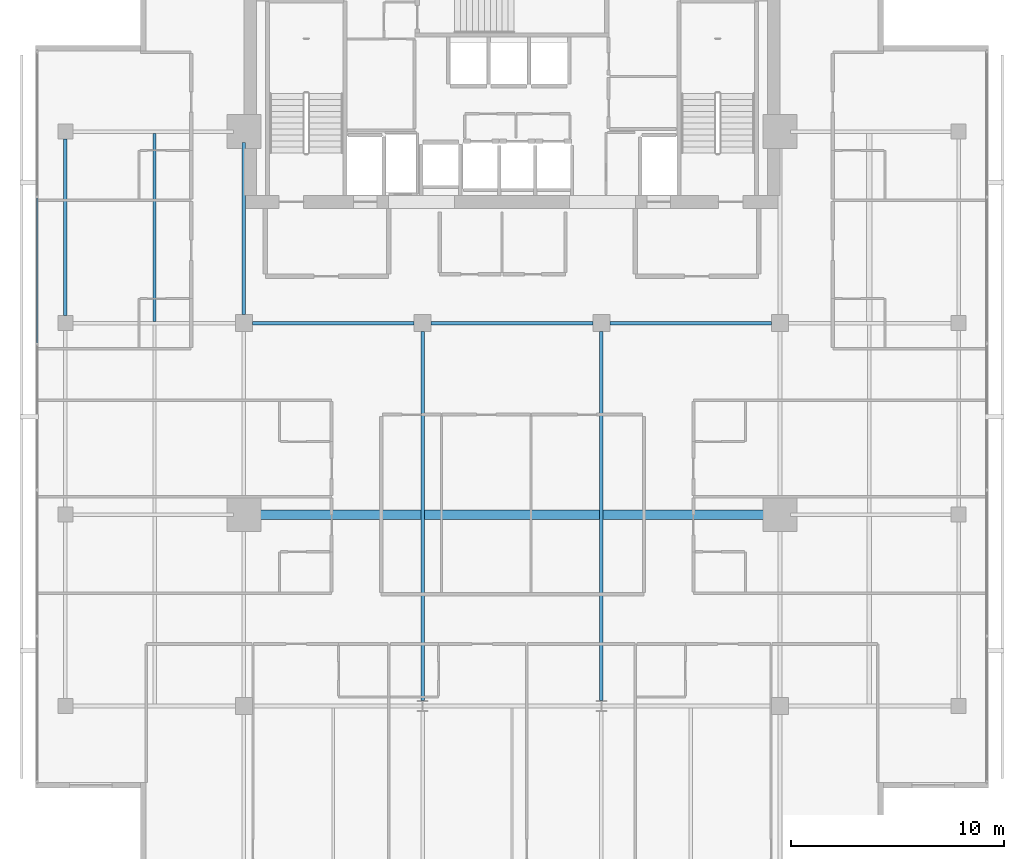
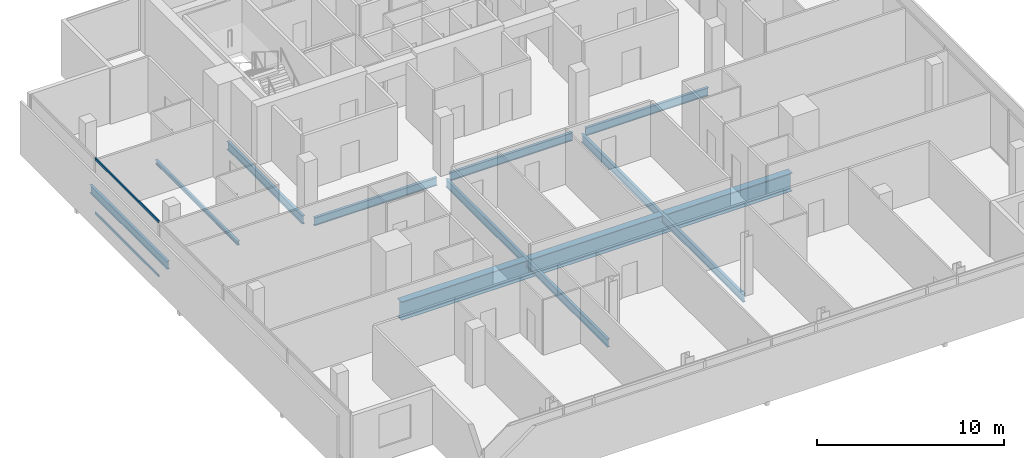
# One storey, part 9 of 26: 9 beams, 2 members, 1 element without a shape of its own.
"""IFC4 building model written with IfcOpenShell, lengths in metres."""

from ifc_helpers import new_model, si_unit, direction, frame, origin, origin_2d, place, context, subcontext, project, spatial, hollow_rectangle, i_section, extrude, material, layer, layer_set, material_profile, profile_set, type_object, element, aggregate, save


model = new_model("IFC4")

# Units and contexts
model_context = context("Model", 3, precision=1e-05, world=origin(), true_north=direction((0.0, 1.0)))
body_context = subcontext(model_context, "Body", "Model", "MODEL_VIEW")
ifc_project = project(units=[si_unit("LENGTHUNIT", "METRE"), si_unit("AREAUNIT", "SQUARE_METRE"), si_unit("VOLUMEUNIT", "CUBIC_METRE"), si_unit("PLANEANGLEUNIT", "RADIAN"), si_unit("MASSUNIT", "GRAM", prefix="KILO")], contexts=[model_context])

# Site, building, storey
site_placement = place(None, origin())
site = spatial("IfcSite", under=ifc_project, at=site_placement, CompositionType="ELEMENT")
building_placement = place(site_placement, origin())
building = spatial("IfcBuilding", under=site, at=building_placement, Name="Maruvema Waterfront Hotel and Observation Tower", CompositionType="ELEMENT")
storey_placement = place(building_placement, frame((0.0, 0.0, 301.0)))
storey = spatial("IfcBuildingStorey", under=building, at=storey_placement, Name="L74", CompositionType="ELEMENT", Elevation=301.0)

# Curtain wall, members
ifc_material_1 = material(Name="Anodised bronze aluminium and solar-control low-E IGU", Category="aluminium")
ifc_layer = layer(ifc_material_1, 0.159912109375, Name="Zone 3 Champagne Inner Thermal Curtain Wall System CW-04")
ifc_layer_set = layer_set([ifc_layer], Name="Anodised bronze aluminium and solar-control low-E IGU")
curtain_wall_type = type_object("IfcCurtainWallType", Name="Zone 3 Champagne Inner Thermal Curtain Wall System CW-04", PredefinedType="USERDEFINED", material=ifc_layer_set)
curtain_wall_placement = place(storey_placement, origin())
curtain_wall = element("IfcCurtainWall", 1, at=curtain_wall_placement, inside=storey, type_object=curtain_wall_type, Name="L74 Curtain Wall CW-L74-W", ObjectType="UNITISED CURTAIN WALL", PredefinedType="USERDEFINED")
ifc_material_2 = material(Name="Anodised architectural bronze aluminium", Category="aluminium")
ifc_material_profile_1 = material_profile(ifc_material_2, hollow_rectangle(XDim=0.070068359375, YDim=0.14990234375, WallThickness=0.00390625, at=origin_2d()), Name="ALU-T70x150")
ifc_profile_set_1 = profile_set([ifc_material_profile_1], Name="Anodised architectural bronze aluminium")
member_type = type_object("IfcMemberType", Name="Curtain Wall Horizontal Transom ALU-T70x150", PredefinedType="USERDEFINED", material=ifc_profile_set_1)
member_1_placement = place(storey_placement, frame((15.47998046875, 41.889892578125, 0.030029296875), z_axis=(0.0, -1.0, 0.0), x_axis=(1.0, 0.0, 0.0)))
member_1 = element("IfcMember", 2, at=member_1_placement, type_object=member_type, Name="CW-04 transom 2.1", ObjectType="TRANSOM", PredefinedType="USERDEFINED", context=body_context, shape_type="SweptSolid", body=[
    extrude(hollow_rectangle(XDim=0.070068359375, YDim=0.14990234375, WallThickness=0.00390625, at=origin_2d()), origin(), (0.0, 0.0, 1.0), 6.81982421875),
])
member_2_placement = place(storey_placement, frame((15.47998046875, 41.889892578125, 3.580078125), z_axis=(0.0, -1.0, 0.0), x_axis=(1.0, 0.0, 0.0)))
member_2 = element("IfcMember", 3, at=member_2_placement, type_object=member_type, Name="CW-04 transom 2.2", ObjectType="TRANSOM", PredefinedType="USERDEFINED", context=body_context, shape_type="SweptSolid", body=[
    extrude(hollow_rectangle(XDim=0.070068359375, YDim=0.14990234375, WallThickness=0.00390625, at=origin_2d()), origin(), (0.0, 0.0, 1.0), 6.81982421875),
])
aggregate(curtain_wall, [member_1, member_2])

# Beams
ifc_material_3 = material(Name="Steel ASTM A572 Grade 50", Category="steel")
ifc_material_profile_2 = material_profile(ifc_material_3, i_section(OverallWidth=0.166015625, OverallDepth=0.529052734375, WebThickness=0.009765625, FlangeThickness=0.013671875, FilletRadius=0.014892578125, at=origin_2d()), Name="W530x74.0")
ifc_profile_set_2 = profile_set([ifc_material_profile_2], Name="Steel ASTM A572 Grade 50")
beam_type_1 = type_object("IfcBeamType", Name="Primary Floor Girder W530x74.0", PredefinedType="BEAM", material=ifc_profile_set_2)
beam_1_placement = place(storey_placement, frame((25.60009765625, 36.0, -0.50439453125), z_axis=(1.0, 0.0, 0.0), x_axis=(0.0, 1.0, 0.0)))
element("IfcBeam", 4, at=beam_1_placement, inside=storey, type_object=beam_type_1, Name="L74 Floor Girder EW-13", PredefinedType="BEAM", context=body_context, shape_type="SweptSolid", body=[
    extrude(i_section(OverallWidth=0.166015625, OverallDepth=0.529052734375, WebThickness=0.009765625, FlangeThickness=0.013671875, FilletRadius=0.014892578125, at=origin_2d()), origin(), (0.0, 0.0, 1.0), 7.599853515625),
])
for number, where, z_axis, x_axis, name in (
    (5, (34.0, 36.0, -0.50439453125), (1.0, 0.0, 0.0), (0.0, 1.0, 0.0), "L74 Floor Girder EW-14"),
    (6, (42.39990234375, 36.0, -0.50439453125), (1.0, 0.0, 0.0), (0.0, 1.0, 0.0), "L74 Floor Girder EW-15"),
):
    element("IfcBeam", number, at=place(storey_placement, frame(where, z_axis=z_axis, x_axis=x_axis)), inside=storey, type_object=beam_type_1, Name=name, PredefinedType="BEAM", context=body_context, shape_type="SweptSolid", body=[
        extrude(i_section(OverallWidth=0.166015625, OverallDepth=0.529052734375, WebThickness=0.009765625, FlangeThickness=0.013671875, FilletRadius=0.014892578125, at=origin_2d()), origin(), (0.0, 0.0, 1.0), 7.60009765625),
    ])
beam_2_placement = place(storey_placement, frame((16.800048828125, 36.35009765625, -0.50439453125), z_axis=(0.0, 1.0, 0.0), x_axis=(-1.0, 0.0, 0.0)))
element("IfcBeam", 7, at=beam_2_placement, inside=storey, type_object=beam_type_1, Name="L74 Floor Girder NS-03", PredefinedType="BEAM", context=body_context, shape_type="SweptSolid", body=[
    extrude(i_section(OverallWidth=0.166015625, OverallDepth=0.529052734375, WebThickness=0.009765625, FlangeThickness=0.013671875, FilletRadius=0.014892578125, at=origin_2d()), origin(), (0.0, 0.0, 1.0), 8.2998046875),
])
beam_3_placement = place(storey_placement, frame((25.199951171875, 36.39990234375, -0.50439453125), z_axis=(0.0, 1.0, 0.0), x_axis=(-1.0, 0.0, 0.0)))
element("IfcBeam", 8, at=beam_3_placement, inside=storey, type_object=beam_type_1, Name="L74 Floor Girder NS-07", PredefinedType="BEAM", context=body_context, shape_type="SweptSolid", body=[
    extrude(i_section(OverallWidth=0.166015625, OverallDepth=0.529052734375, WebThickness=0.009765625, FlangeThickness=0.013671875, FilletRadius=0.014892578125, at=origin_2d()), origin(), (0.0, 0.0, 1.0), 8.10009765625),
])
for number, where, z_axis, x_axis, name in (
    (9, (33.60009765625, 18.25, -0.50439453125), (0.0, 1.0, 0.0), (-1.0, 0.0, 0.0), "L74 Floor Girder NS-09"),
    (10, (42.0, 18.25, -0.50439453125), (0.0, 1.0, 0.0), (-1.0, 0.0, 0.0), "L74 Floor Girder NS-11"),
):
    element("IfcBeam", number, at=place(storey_placement, frame(where, z_axis=z_axis, x_axis=x_axis)), inside=storey, type_object=beam_type_1, Name=name, PredefinedType="BEAM", context=body_context, shape_type="SweptSolid", body=[
        extrude(i_section(OverallWidth=0.166015625, OverallDepth=0.529052734375, WebThickness=0.009765625, FlangeThickness=0.013671875, FilletRadius=0.014892578125, at=origin_2d()), origin(), (0.0, 0.0, 1.0), 17.35009765625),
    ])
ifc_material_4 = material(Name="Steel ASTM A572 Grade 50", Category="steel")
ifc_material_profile_3 = material_profile(ifc_material_4, i_section(OverallWidth=0.14599609375, OverallDepth=0.258056640625, WebThickness=0.006103515625, FlangeThickness=0.009033203125, FilletRadius=0.012939453125, at=origin_2d()), Name="W250x32.7")
ifc_profile_set_3 = profile_set([ifc_material_profile_3], Name="Steel ASTM A572 Grade 50")
beam_type_2 = type_object("IfcBeamType", Name="Secondary Floor Joist W250x32.7", PredefinedType="JOIST", material=ifc_profile_set_3)
beam_4_placement = place(storey_placement, frame((21.0, 36.0830078125, -0.368896484375), z_axis=(0.0, 1.0, 0.0), x_axis=(-1.0, 0.0, 0.0)))
element("IfcBeam", 11, at=beam_4_placement, inside=storey, type_object=beam_type_2, Name="L74 Secondary Floor Joist JS-03", PredefinedType="JOIST", context=body_context, shape_type="SweptSolid", body=[
    extrude(i_section(OverallWidth=0.14599609375, OverallDepth=0.258056640625, WebThickness=0.006103515625, FlangeThickness=0.009033203125, FilletRadius=0.012939453125, at=origin_2d()), origin(), (0.0, 0.0, 1.0), 8.833984375),
])
ifc_material_5 = material(Name="Steel ABNT NBR 7007 AR 415 (ASTM A572 Grade 50)", Category="steel")
ifc_material_profile_4 = material_profile(ifc_material_5, i_section(OverallWidth=0.449951171875, OverallDepth=1.199951171875, WebThickness=0.01904296875, FlangeThickness=0.031982421875, at=origin_2d()), Name="VS1200x366")
ifc_profile_set_4 = profile_set([ifc_material_profile_4], Name="Steel ABNT NBR 7007 AR 415 (ASTM A572 Grade 50)")
beam_type_3 = type_object("IfcBeamType", Name="Upper Setback Transfer Girder VS1200x366", PredefinedType="USERDEFINED", material=ifc_profile_set_4)
beam_5_placement = place(storey_placement, frame((25.699951171875, 27.0, -0.840087890625), z_axis=(1.0, 0.0, 0.0), x_axis=(0.0, 1.0, 0.0)))
element("IfcBeam", 12, at=beam_5_placement, inside=storey, type_object=beam_type_3, Name="L74 Floor Girder EW-10", ObjectType="TRANSFER GIRDER", PredefinedType="USERDEFINED", context=body_context, shape_type="SweptSolid", body=[
    extrude(i_section(OverallWidth=0.449951171875, OverallDepth=1.199951171875, WebThickness=0.01904296875, FlangeThickness=0.031982421875, at=origin_2d()), origin(), (0.0, 0.0, 1.0), 24.199951171875),
])

save(model, "model.ifc")
